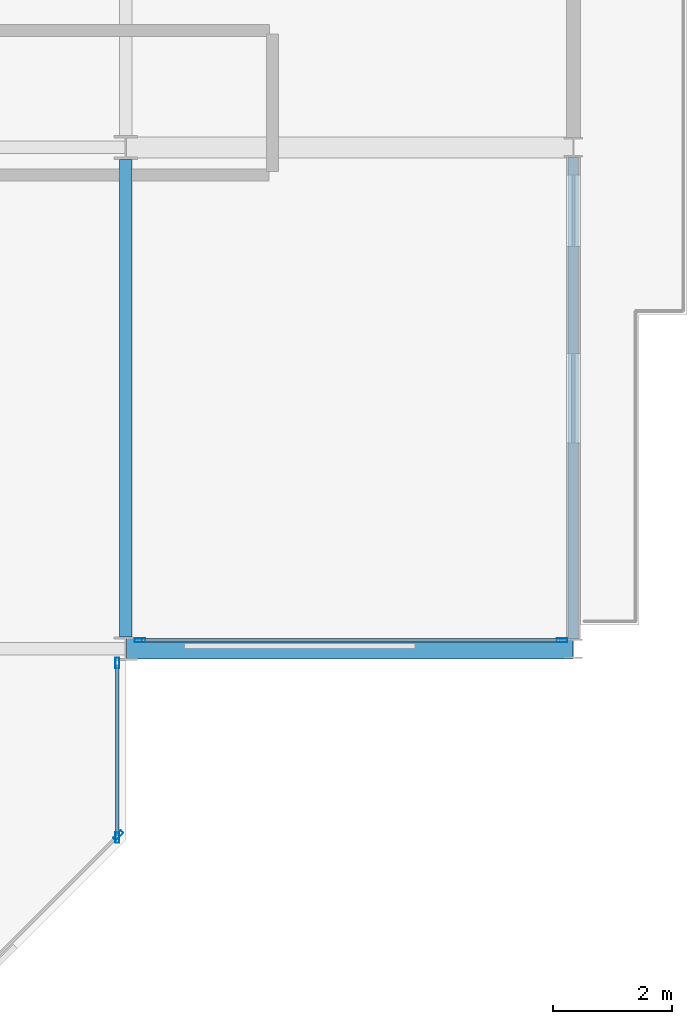
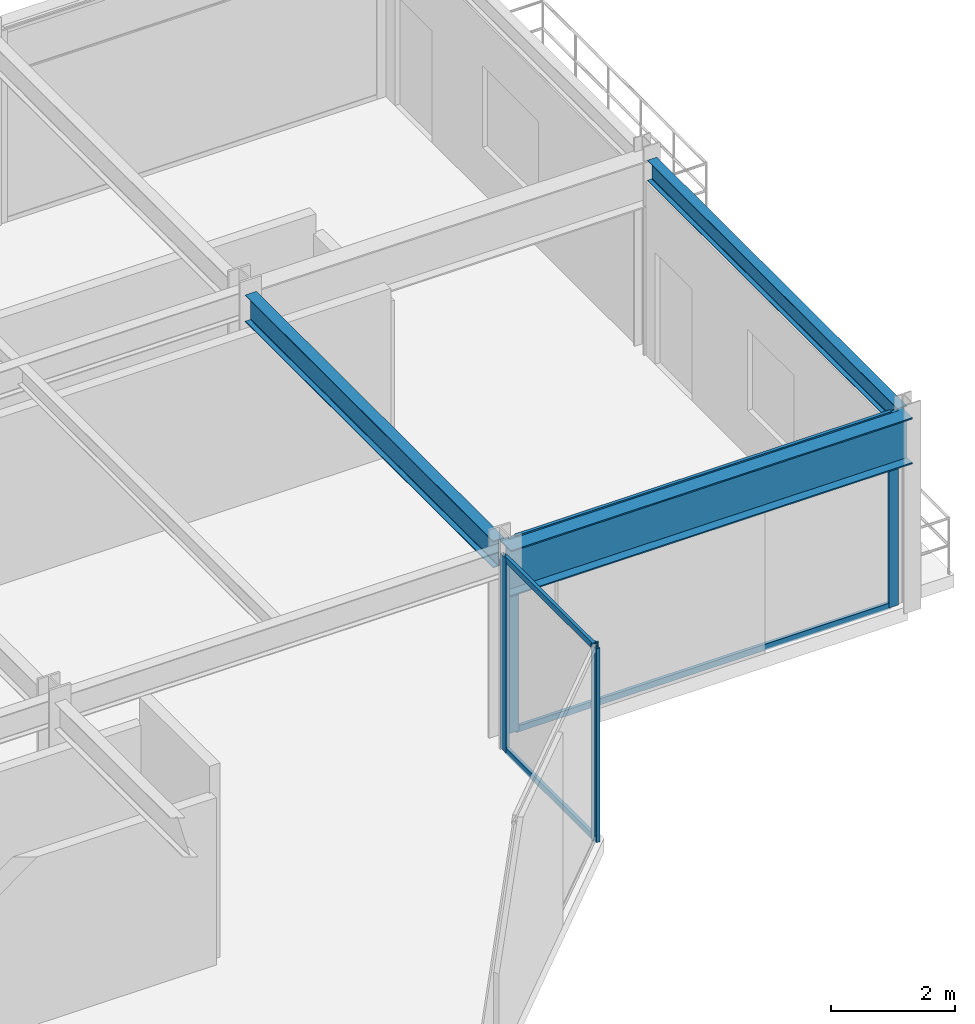
# One storey, part 18 of 38: 9 members, 3 beams, 3 elements without a shape of their own.
"""IFC4 building model written with IfcOpenShell, lengths in metres."""

from ifc_helpers import new_model, si_unit, direction, frame, origin, origin_2d, place, context, subcontext, project, spatial, hollow_rectangle, i_section, extrude, material, layer, layer_set, material_profile, profile_set, type_object, element, aggregate, save


model = new_model("IFC4")

# Units and contexts
model_context = context("Model", 3, precision=1e-05, world=origin(), true_north=direction((0.0, 1.0)))
body_context = subcontext(model_context, "Body", "Model", "MODEL_VIEW")
ifc_project = project(units=[si_unit("LENGTHUNIT", "METRE"), si_unit("AREAUNIT", "SQUARE_METRE"), si_unit("VOLUMEUNIT", "CUBIC_METRE"), si_unit("PLANEANGLEUNIT", "RADIAN"), si_unit("MASSUNIT", "GRAM", prefix="KILO")], contexts=[model_context])

# Site, building, storey
site_placement = place(None, origin())
site = spatial("IfcSite", under=ifc_project, at=site_placement, CompositionType="ELEMENT")
building_placement = place(site_placement, origin())
building = spatial("IfcBuilding", under=site, at=building_placement, Name="Nerrivon Quay Data Exchange", CompositionType="ELEMENT")
storey_placement = place(building_placement, frame((0.0, 0.0, 100.800048828125)))
storey = spatial("IfcBuildingStorey", under=building, at=storey_placement, Name="L23", CompositionType="ELEMENT", Elevation=100.800048828125)

# Beams
ifc_material_1 = material(Name="Steel Grade 350", Category="steel")
ifc_material_profile_1 = material_profile(ifc_material_1, i_section(OverallWidth=0.35009765625, OverallDepth=0.909912109375, WebThickness=0.011962890625, FlangeThickness=0.02490234375, at=origin_2d()), Name="900WB218")
ifc_profile_set_1 = profile_set([ifc_material_profile_1], Name="Steel Grade 350")
beam_type_1 = type_object("IfcBeamType", Name="BM-CANT-900WB", PredefinedType="USERDEFINED", material=ifc_profile_set_1)
beam_1_placement = place(storey_placement, frame((50.41259765625, 8.39990234375, 3.369873046875), z_axis=(1.0, 0.0, 0.0), x_axis=(0.0, 1.0, 0.0)))
element("IfcBeam", 1, at=beam_1_placement, inside=storey, type_object=beam_type_1, Name="L23 East Hooked Cantilever Girder Y=8.4", ObjectType="TRANSFER", PredefinedType="USERDEFINED", context=body_context, shape_type="SweptSolid", body=[
    extrude(i_section(OverallWidth=0.35009765625, OverallDepth=0.909912109375, WebThickness=0.011962890625, FlangeThickness=0.02490234375, at=origin_2d()), origin(), (0.0, 0.0, 1.0), 7.4794921875),
])
ifc_material_profile_2 = material_profile(ifc_material_1, i_section(OverallWidth=0.208984375, OverallDepth=0.528076171875, WebThickness=0.009521484375, FlangeThickness=0.01318359375, FilletRadius=0.013916015625, at=origin_2d()), Name="530UB82.0")
ifc_profile_set_2 = profile_set([ifc_material_profile_2], Name="Steel Grade 350")
beam_type_2 = type_object("IfcBeamType", Name="BM-G4-530UB82", PredefinedType="BEAM", material=ifc_profile_set_2)
beam_2_placement = place(storey_placement, frame((50.39990234375, 8.60009765625, 3.56103515625), z_axis=(0.0, 1.0, 0.0), x_axis=(-1.0, 0.0, 0.0)))
element("IfcBeam", 2, at=beam_2_placement, inside=storey, type_object=beam_type_2, Name="L23 NS Girder X=50.4 (8.4..16.8)", PredefinedType="BEAM", context=body_context, shape_type="SweptSolid", body=[
    extrude(i_section(OverallWidth=0.208984375, OverallDepth=0.528076171875, WebThickness=0.009521484375, FlangeThickness=0.01318359375, FilletRadius=0.013916015625, at=origin_2d()), origin(), (0.0, 0.0, 1.0), 8.0),
])
ifc_material_profile_3 = material_profile(ifc_material_1, i_section(OverallWidth=0.177978515625, OverallDepth=0.403076171875, WebThickness=0.007568359375, FlangeThickness=0.010986328125, FilletRadius=0.011474609375, at=origin_2d()), Name="410UB53.7")
ifc_profile_set_3 = profile_set([ifc_material_profile_3], Name="Steel Grade 350")
beam_type_3 = type_object("IfcBeamType", Name="BM-SP2-410UB54", PredefinedType="SPANDREL", material=ifc_profile_set_3)
beam_3_placement = place(storey_placement, frame((57.89990234375, 8.5634765625, 3.62353515625), z_axis=(0.0, 1.0, 0.0), x_axis=(-1.0, 0.0, 0.0)))
element("IfcBeam", 3, at=beam_3_placement, inside=storey, type_object=beam_type_3, Name="L23 East Hooked Edge Spandrel", PredefinedType="SPANDREL", context=body_context, shape_type="SweptSolid", body=[
    extrude(i_section(OverallWidth=0.177978515625, OverallDepth=0.403076171875, WebThickness=0.007568359375, FlangeThickness=0.010986328125, FilletRadius=0.011474609375, at=origin_2d()), origin(), (0.0, 0.0, 1.0), 8.072998046875),
])

# Curtain wall, members
ifc_material_2 = material(Name="Anodised aluminium 6063-T6", Category="aluminium")
ifc_layer_1 = layer(ifc_material_2, 0.199951171875)
ifc_layer_set_1 = layer_set([ifc_layer_1], Name="Anodised aluminium 6063-T6")
curtain_wall_type_1 = type_object("IfcCurtainWallType", Name="CW-SYS-04", PredefinedType="NOTDEFINED", material=ifc_layer_set_1)
curtain_wall_1_placement = place(storey_placement, origin())
curtain_wall_1 = element("IfcCurtainWall", 4, at=curtain_wall_1_placement, inside=storey, type_object=curtain_wall_type_1, Name="L23 Unitised Curtain Wall 3", PredefinedType="NOTDEFINED")
ifc_material_profile_4 = material_profile(ifc_material_2, hollow_rectangle(XDim=0.06494140625, YDim=0.179931640625, WallThickness=0.00341796875, at=origin_2d()), Name="ALU-MULL-180x65")
ifc_profile_set_4 = profile_set([ifc_material_profile_4], Name="Anodised aluminium 6063-T6")
member_type_1 = type_object("IfcMemberType", Name="CWM-180x65", PredefinedType="MULLION", material=ifc_profile_set_4)
member_1_placement = place(storey_placement, frame((57.70703125, 8.5400390625, 0.0), z_axis=(0.0, 0.0, 1.0), x_axis=(0.0, -1.0, 0.0)))
member_1 = element("IfcMember", 5, at=member_1_placement, type_object=member_type_1, Name="CW04 mullion 1", PredefinedType="MULLION", context=body_context, shape_type="SweptSolid", body=[
    extrude(hollow_rectangle(XDim=0.06494140625, YDim=0.179931640625, WallThickness=0.00341796875, at=origin_2d()), origin(), (0.0, 0.0, 1.0), 3.824951171875),
])
member_2_placement = place(storey_placement, frame((50.637451171875, 8.5400390625, 0.0), z_axis=(0.0, 0.0, 1.0), x_axis=(0.0, -1.0, 0.0)))
member_2 = element("IfcMember", 6, at=member_2_placement, type_object=member_type_1, Name="CW04 mullion 2", PredefinedType="MULLION", context=body_context, shape_type="SweptSolid", body=[
    extrude(hollow_rectangle(XDim=0.06494140625, YDim=0.179931640625, WallThickness=0.00341796875, at=origin_2d()), origin(), (0.0, 0.0, 1.0), 3.824951171875),
])

ifc_layer_2 = layer(ifc_material_2, 0.2099609375)
ifc_layer_set_2 = layer_set([ifc_layer_2], Name="Anodised aluminium 6063-T6")
curtain_wall_type_2 = type_object("IfcCurtainWallType", Name="CW-SYS-02", PredefinedType="NOTDEFINED", material=ifc_layer_set_2)
curtain_wall_2_placement = place(storey_placement, origin())
curtain_wall_2 = element("IfcCurtainWall", 7, at=curtain_wall_2_placement, inside=storey, type_object=curtain_wall_type_2, Name="L23 Unitised Curtain Wall 4", PredefinedType="NOTDEFINED")
member_3_placement = place(storey_placement, frame((50.260009765625, 8.16259765625, 0.0), z_axis=(0.0, 0.0, 1.0), x_axis=(1.0, 0.0, 0.0)))
member_3 = element("IfcMember", 8, at=member_3_placement, type_object=member_type_1, Name="CW02 mullion 1", PredefinedType="MULLION", context=body_context, shape_type="SweptSolid", body=[
    extrude(hollow_rectangle(XDim=0.06494140625, YDim=0.179931640625, WallThickness=0.00341796875, at=origin_2d()), origin(), (0.0, 0.0, 1.0), 3.824951171875),
])
member_4_placement = place(storey_placement, frame((50.260009765625, 5.237548828125, 0.0), z_axis=(0.0, 0.0, 1.0), x_axis=(1.0, 0.0, 0.0)))
member_4 = element("IfcMember", 9, at=member_4_placement, type_object=member_type_1, Name="CW02 mullion 2", PredefinedType="MULLION", context=body_context, shape_type="SweptSolid", body=[
    extrude(hollow_rectangle(XDim=0.06494140625, YDim=0.179931640625, WallThickness=0.00341796875, at=origin_2d()), origin(), (0.0, 0.0, 1.0), 3.824951171875),
])

# Curtain wall, member
curtain_wall_3_placement = place(storey_placement, origin())
curtain_wall_3 = element("IfcCurtainWall", 10, at=curtain_wall_3_placement, inside=storey, type_object=curtain_wall_type_2, Name="L23 Unitised Curtain Wall 5", PredefinedType="NOTDEFINED")
member_5_placement = place(storey_placement, frame((50.2744140625, 5.2724609375, 0.0), z_axis=(0.0, 0.0, 1.0), x_axis=(0.707106781187, -0.707106781187, 0.0)))
member_5 = element("IfcMember", 11, at=member_5_placement, type_object=member_type_1, Name="CW02 mullion 1", PredefinedType="MULLION", context=body_context, shape_type="SweptSolid", body=[
    extrude(hollow_rectangle(XDim=0.06494140625, YDim=0.179931640625, WallThickness=0.00341796875, at=origin_2d()), origin(), (0.0, 0.0, 1.0), 3.824951171875),
])
aggregate(curtain_wall_3, [member_5])

# Member
ifc_material_profile_5 = material_profile(ifc_material_2, hollow_rectangle(XDim=0.06005859375, YDim=0.1201171875, WallThickness=0.003173828125, at=origin_2d()), Name="ALU-TRAN-120x60")
ifc_profile_set_5 = profile_set([ifc_material_profile_5], Name="Anodised aluminium 6063-T6")
member_type_2 = type_object("IfcMemberType", Name="CWT-120x60", PredefinedType="USERDEFINED", material=ifc_profile_set_5)
member_6_placement = place(storey_placement, frame((57.66943359375, 8.5400390625, 0.032470703125), z_axis=(-1.0, 0.0, 0.0), x_axis=(0.0, -1.0, 0.0)))
member_6 = element("IfcMember", 12, at=member_6_placement, type_object=member_type_2, Name="CW04 transom 1.1", ObjectType="TRANSOM", PredefinedType="USERDEFINED", context=body_context, shape_type="SweptSolid", body=[
    extrude(hollow_rectangle(XDim=0.06005859375, YDim=0.1201171875, WallThickness=0.003173828125, at=origin_2d()), origin(), (0.0, 0.0, 1.0), 6.994384765625),
])

member_7_placement = place(storey_placement, frame((57.66943359375, 8.5400390625, 3.79248046875), z_axis=(-1.0, 0.0, 0.0), x_axis=(0.0, -1.0, 0.0)))
member_7 = element("IfcMember", 13, at=member_7_placement, type_object=member_type_2, Name="CW04 transom 1.2", ObjectType="TRANSOM", PredefinedType="USERDEFINED", context=body_context, shape_type="SweptSolid", body=[
    extrude(hollow_rectangle(XDim=0.06005859375, YDim=0.1201171875, WallThickness=0.003173828125, at=origin_2d()), origin(), (0.0, 0.0, 1.0), 6.994384765625),
])

aggregate(curtain_wall_1, [member_1, member_2, member_6, member_7])

member_8_placement = place(storey_placement, frame((50.260009765625, 8.125, 0.032470703125), z_axis=(0.0, -1.0, 0.0), x_axis=(1.0, 0.0, 0.0)))
member_8 = element("IfcMember", 14, at=member_8_placement, type_object=member_type_2, Name="CW02 transom 1.1", ObjectType="TRANSOM", PredefinedType="USERDEFINED", context=body_context, shape_type="SweptSolid", body=[
    extrude(hollow_rectangle(XDim=0.06005859375, YDim=0.1201171875, WallThickness=0.003173828125, at=origin_2d()), origin(), (0.0, 0.0, 1.0), 2.85009765625),
])

member_9_placement = place(storey_placement, frame((50.260009765625, 8.125, 3.79248046875), z_axis=(0.0, -1.0, 0.0), x_axis=(1.0, 0.0, 0.0)))
member_9 = element("IfcMember", 15, at=member_9_placement, type_object=member_type_2, Name="CW02 transom 1.2", ObjectType="TRANSOM", PredefinedType="USERDEFINED", context=body_context, shape_type="SweptSolid", body=[
    extrude(hollow_rectangle(XDim=0.06005859375, YDim=0.1201171875, WallThickness=0.003173828125, at=origin_2d()), origin(), (0.0, 0.0, 1.0), 2.85009765625),
])

aggregate(curtain_wall_2, [member_3, member_4, member_8, member_9])

save(model, "model.ifc")
